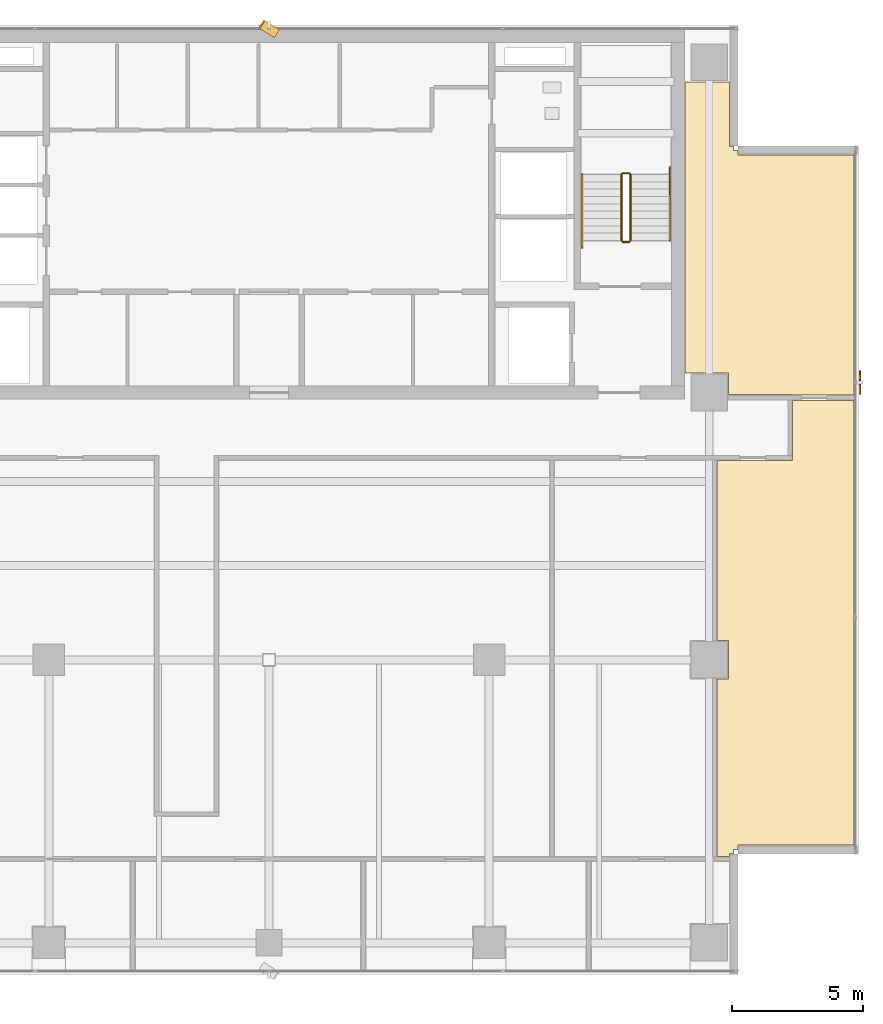
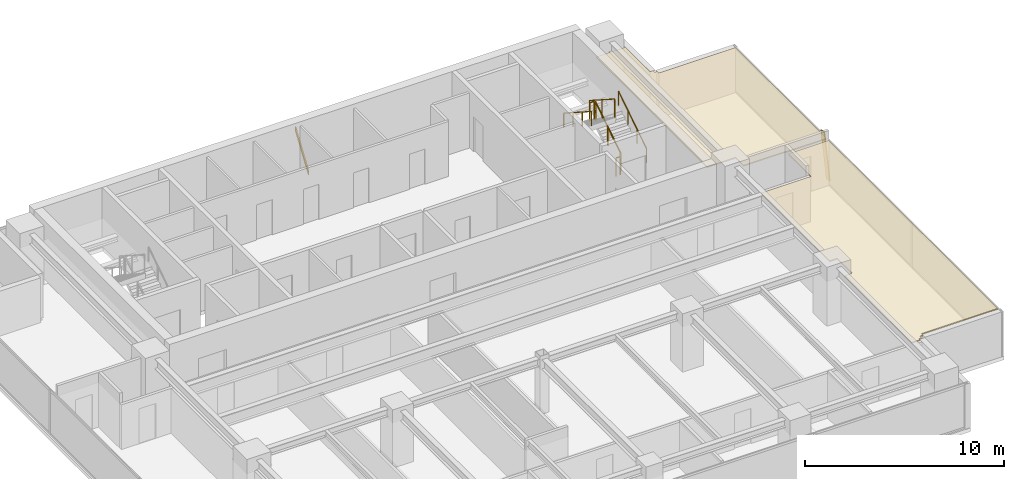
# One storey, part 25 of 26: 6 railings, 2 coverings, 2 shading devices.
"""IFC4 building model written with IfcOpenShell, lengths in metres."""

import ifcopenshell
import ifcopenshell.guid

model = None  # the IFC model being written
_history = None  # IfcOwnerHistory: only IFC2X3 demands one
_inside = {}  # id of a spatial element -> (the spatial element, [elements in it])
_under = {}  # id of a project, library or spatial element -> (it, [spatial elements below it])
_declared = {}  # id of a project -> (the project, [libraries it declares])
_typed = {}  # id of a type object -> (the type object, [elements of that type])
_made_of = {}  # id of a material, layer set ... -> (it, [elements and type objects made of it])


def new_model(schema):
    """Start an empty IFC model of exactly this schema.

    Asked for "IFC4X3", IfcOpenShell would pick the latest addendum, in which some entities
    have other attributes; the version numbers below select the first issue.
    IFC2X3 requires an IfcOwnerHistory on every rooted entity: one is made here for all.
    """
    global model, _history
    if schema == "IFC4X3":
        model = ifcopenshell.file(schema_version=(4, 3, 0, 0))
    else:
        model = ifcopenshell.file(schema=schema)
    _inside.clear()
    _under.clear()
    _declared.clear()
    _typed.clear()
    _made_of.clear()
    _history = None
    if model.schema == "IFC2X3":
        org = make("IfcOrganization", Name="unknown")
        user = make(
            "IfcPersonAndOrganization",
            ThePerson=make("IfcPerson", FamilyName="unknown"),
            TheOrganization=org,
        )
        app = make(
            "IfcApplication",
            ApplicationDeveloper=org,
            Version="unknown",
            ApplicationFullName="unknown",
            ApplicationIdentifier="unknown",
        )
        _history = make(
            "IfcOwnerHistory",
            OwningUser=user,
            OwningApplication=app,
            ChangeAction="ADDED",
            CreationDate=0,
        )
    return model


def make(cls, **values):
    """One entity of the class cls with the attributes given. An attribute that is None is left unset."""
    return model.create_entity(
        cls, **{name: value for name, value in values.items() if value is not None}
    )


def rooted(cls, **values):
    """An entity with a GlobalId (a new one), such as an element, a storey or a relation."""
    return make(cls, GlobalId=ifcopenshell.guid.new(), OwnerHistory=_history, **values)


def si_unit(unit_type, name, prefix=None):
    """IfcSIUnit, for example si_unit("LENGTHUNIT", "METRE", prefix="MILLI")."""
    return make("IfcSIUnit", UnitType=unit_type, Prefix=prefix, Name=name)


def assignment(units):
    """IfcUnitAssignment: the units of a project."""
    return None if units is None else make("IfcUnitAssignment", Units=units)


def point(xyz):
    """IfcCartesianPoint."""
    return None if xyz is None else make("IfcCartesianPoint", Coordinates=xyz)


def direction(xyz):
    """IfcDirection."""
    return None if xyz is None else make("IfcDirection", DirectionRatios=xyz)


def frame(location, z_axis=None, x_axis=None):
    """IfcAxis2Placement3D, a coordinate frame: its origin and axes. An axis left out is left unset."""
    return make(
        "IfcAxis2Placement3D",
        Location=point(location),
        Axis=direction(z_axis),
        RefDirection=direction(x_axis),
    )


def frame_2d(location, x_axis=None):
    """IfcAxis2Placement2D, a coordinate frame in the plane: its origin and x axis."""
    return make(
        "IfcAxis2Placement2D", Location=point(location), RefDirection=direction(x_axis)
    )


def origin():
    """The frame at (0, 0, 0) with its axes left unset."""
    return frame((0.0, 0.0, 0.0))


def origin_2d():
    """The frame at (0, 0) in the plane with its x axis left unset."""
    return frame_2d((0.0, 0.0))


def place(relative_to, where):
    """IfcLocalPlacement: puts the frame where relative to a parent placement (None: the world)."""
    return make(
        "IfcLocalPlacement", PlacementRelTo=relative_to, RelativePlacement=where
    )


def context(
    kind, dimensions, precision=None, world=None, true_north=None, identifier=None
):
    """IfcGeometricRepresentationContext, for example the 3D "Model" context."""
    return make(
        "IfcGeometricRepresentationContext",
        ContextIdentifier=identifier,
        ContextType=kind,
        CoordinateSpaceDimension=dimensions,
        Precision=precision,
        WorldCoordinateSystem=world,
        TrueNorth=true_north,
    )


def subcontext(parent, identifier, kind, view, scale=None):
    """IfcGeometricRepresentationSubContext, for example "Body" below "Model"."""
    return make(
        "IfcGeometricRepresentationSubContext",
        ContextIdentifier=identifier,
        ContextType=kind,
        ParentContext=parent,
        TargetScale=scale,
        TargetView=view,
    )


def project(units=None, contexts=None):
    """IfcProject with its units and contexts."""
    return rooted(
        "IfcProject",
        Name="project",
        RepresentationContexts=contexts,
        UnitsInContext=assignment(units),
    )


def spatial(cls, under=None, at=None, **own):
    """A site, building, storey or space (cls), placed at a placement, below another one or the project."""
    s = rooted(cls, ObjectPlacement=at, **own)
    if under is not None:
        _under.setdefault(under.id(), (under, []))[1].append(s)
    return s


def polyline(points):
    """IfcPolyline through the points."""
    return make("IfcPolyline", Points=[point(p) for p in points])


def profile(cls, at=None, kind="AREA", **sizes):
    """A parametric profile (cls). Its sizes go by their IFC names, for example OverallWidth=200.0."""
    return make(cls, ProfileType=kind, Position=at, **sizes)


def rectangle(**sizes):
    """IfcRectangleProfileDef."""
    return profile("IfcRectangleProfileDef", **sizes)


def outline(outer, holes=None, kind="AREA"):
    """IfcArbitraryClosedProfileDef: a profile drawn as a closed curve; with holes, ...WithVoids."""
    if holes is None:
        return make("IfcArbitraryClosedProfileDef", ProfileType=kind, OuterCurve=outer)
    return make(
        "IfcArbitraryProfileDefWithVoids",
        ProfileType=kind,
        OuterCurve=outer,
        InnerCurves=holes,
    )


def extrude(swept, where, along, depth):
    """IfcExtrudedAreaSolid: the profile swept, set in the frame where, extruded along a direction by depth."""
    return make(
        "IfcExtrudedAreaSolid",
        SweptArea=swept,
        Position=where,
        ExtrudedDirection=direction(along),
        Depth=depth,
    )


def shape(context_of_items, identifier, shape_type, items):
    """IfcShapeRepresentation: the items that make up one representation, for example the "Body"."""
    return make(
        "IfcShapeRepresentation",
        ContextOfItems=context_of_items,
        RepresentationIdentifier=identifier,
        RepresentationType=shape_type,
        Items=items,
    )


def source(mapping_origin, context_of_items, identifier, shape_type, items):
    """IfcRepresentationMap: a shape defined once, which mapped items show again and again."""
    return make(
        "IfcRepresentationMap",
        MappingOrigin=mapping_origin,
        MappedRepresentation=shape(context_of_items, identifier, shape_type, items),
    )


def transform(
    local_origin,
    x_axis=None,
    y_axis=None,
    z_axis=None,
    scale=None,
    scale2=None,
    scale3=None,
    uniform=True,
):
    """IfcCartesianTransformationOperator3D, or its non-uniform kind. x_axis, y_axis, z_axis: its Axis1, 2, 3."""
    if uniform:
        return make(
            "IfcCartesianTransformationOperator3D",
            Axis1=direction(x_axis),
            Axis2=direction(y_axis),
            LocalOrigin=point(local_origin),
            Scale=scale,
            Axis3=direction(z_axis),
        )
    return make(
        "IfcCartesianTransformationOperator3DnonUniform",
        Axis1=direction(x_axis),
        Axis2=direction(y_axis),
        LocalOrigin=point(local_origin),
        Scale=scale,
        Axis3=direction(z_axis),
        Scale2=scale2,
        Scale3=scale3,
    )


def mapped(mapping_source, mapping_target):
    """IfcMappedItem: shows the shape of a source again, moved by a transform."""
    return make(
        "IfcMappedItem", MappingSource=mapping_source, MappingTarget=mapping_target
    )


def material(Name=None, Category=None):
    """IfcMaterial."""
    return make("IfcMaterial", Name=Name, Category=Category)


def layer(
    of_material, thickness, ventilated=None, Name=None, Category=None, Priority=None
):
    """IfcMaterialLayer: one layer of a wall or slab, of a material (None: an air gap)."""
    return make(
        "IfcMaterialLayer",
        Material=of_material,
        LayerThickness=thickness,
        IsVentilated=ventilated,
        Name=Name,
        Category=Category,
        Priority=Priority,
    )


def layer_set(layers, Name=None):
    """IfcMaterialLayerSet."""
    return make("IfcMaterialLayerSet", MaterialLayers=layers, LayerSetName=Name)


def material_profile(
    of_material, cross_section, Name=None, Category=None, Priority=None
):
    """IfcMaterialProfile: a cross section and its material."""
    return make(
        "IfcMaterialProfile",
        Name=Name,
        Material=of_material,
        Profile=cross_section,
        Priority=Priority,
        Category=Category,
    )


def profile_set(profiles, Name=None, composite=None):
    """IfcMaterialProfileSet."""
    return make(
        "IfcMaterialProfileSet",
        Name=Name,
        MaterialProfiles=profiles,
        CompositeProfile=composite,
    )


def made_of(thing, what):
    """Note that an element or type object is made of a material, layer set ...; save() writes the relation."""
    if what is not None:
        _made_of.setdefault(what.id(), (what, []))[1].append(thing)
    return thing


def type_object(cls, material=None, **own):
    """A type object (cls), such as IfcWallType, which elements share."""
    return made_of(rooted(cls, **own), material)


def element(
    cls,
    number,
    at=None,
    inside=None,
    cuts=None,
    type_object=None,
    material=None,
    context=None,
    identifier="Body",
    shape_type=None,
    held_by="IfcProductDefinitionShape",
    body=None,
    shapes=None,
    **own,
):
    """One element of the class cls, such as IfcWall. Its Tag is "e" and its number.

    at: its placement. inside: the storey or other place that contains it. cuts: it is an
    opening in that element (IfcRelVoidsElement). A single representation is given by context,
    identifier, shape_type and body (its items); several are given by shapes. held_by: the class
    of the entity that holds the representations. save() writes the other relations.
    """
    e = rooted(cls, Tag="e%d" % number, ObjectPlacement=at, **own)
    if body is not None:
        shapes = [shape(context, identifier, shape_type, body)]
    if shapes is not None:
        e.Representation = make(held_by, Representations=shapes)
    if inside is not None:
        _inside.setdefault(inside.id(), (inside, []))[1].append(e)
    if cuts is not None:
        rooted(
            "IfcRelVoidsElement", RelatingBuildingElement=cuts, RelatedOpeningElement=e
        )
    if type_object is not None:
        _typed.setdefault(type_object.id(), (type_object, []))[1].append(e)
    return made_of(e, material)


def aggregate(whole, parts):
    """IfcRelAggregates: a whole, such as a stair, and the parts it consists of."""
    return rooted("IfcRelAggregates", RelatingObject=whole, RelatedObjects=parts)


def save(model, path):
    """Write the relations noted so far, then the file.

    IfcRelAggregates (storeys below a building ...), IfcRelContainedInSpatialStructure (elements
    in a storey), IfcRelDefinesByType, IfcRelAssociatesMaterial and IfcRelDeclares: one each for
    every whole, place, type object, material and project.
    """
    for whole, parts in _under.values():
        aggregate(whole, parts)
    for where, things in _inside.values():
        rooted(
            "IfcRelContainedInSpatialStructure",
            RelatedElements=things,
            RelatingStructure=where,
        )
    for kind, things in _typed.values():
        rooted("IfcRelDefinesByType", RelatedObjects=things, RelatingType=kind)
    for what, things in _made_of.values():
        rooted("IfcRelAssociatesMaterial", RelatedObjects=things, RelatingMaterial=what)
    for by, libraries in _declared.values():
        rooted("IfcRelDeclares", RelatingContext=by, RelatedDefinitions=libraries)
    model.write(path)


model = new_model("IFC4")

# Units and contexts
model_context = context("Model", 3, precision=1e-05, world=origin(), true_north=direction((0.0, 1.0)))
body_context = subcontext(model_context, "Body", "Model", "MODEL_VIEW")
ifc_project = project(units=[si_unit("LENGTHUNIT", "METRE"), si_unit("AREAUNIT", "SQUARE_METRE"), si_unit("VOLUMEUNIT", "CUBIC_METRE"), si_unit("PLANEANGLEUNIT", "RADIAN"), si_unit("MASSUNIT", "GRAM", prefix="KILO")], contexts=[model_context])

# Site, building, storey
site_placement = place(None, origin())
site = spatial("IfcSite", under=ifc_project, at=site_placement, CompositionType="ELEMENT")
building_placement = place(site_placement, origin())
building = spatial("IfcBuilding", under=site, at=building_placement, Name="Sumidabori Civic Tower", CompositionType="ELEMENT")
storey_placement = place(building_placement, frame((0.0, 0.0, 254.0)))
storey = spatial("IfcBuildingStorey", under=building, at=storey_placement, Name="L66", CompositionType="ELEMENT", Elevation=254.0)

# Coverings
ifc_material_1 = material(Name="Gypsum Coffered Acoustic Ceiling")
ifc_layer = layer(ifc_material_1, 0.06494140625, Name="Gypsum Coffered Acoustic Ceiling")
ifc_layer_set = layer_set([ifc_layer], Name="Gypsum Coffered Acoustic Ceiling")
covering_type = type_object("IfcCoveringType", Name="CV-CEIL-AC4", PredefinedType="CEILING", material=ifc_layer_set)
covering_1_placement = place(storey_placement, frame((0.0, 0.0, 2.719970703125)))
element("IfcCovering", 1, at=covering_1_placement, inside=storey, type_object=covering_type, Name="Room Acoustic Ceiling L66-02", PredefinedType="CEILING", context=body_context, shape_type="SweptSolid", body=[
    extrude(outline(polyline([(17.572021484375, 22.06005859375), (17.572021484375, 19.592041015625), (17.72998046875, 19.592041015625), (17.72998046875, 19.429931640625), (17.89208984375, 19.429931640625), (17.89208984375, 19.27197265625), (22.330078125, 19.27197265625), (22.330078125, 10.1025390625), (19.985107421875, 10.1025390625), (19.985107421875, 10.135009765625), (17.5400390625, 10.135009765625), (17.5400390625, 10.93994140625), (15.8779296875, 10.93994140625), (15.8779296875, 22.06005859375), (17.572021484375, 22.06005859375)])), origin(), (0.0, 0.0, 1.0), 0.06494140625),
])
covering_2_placement = place(storey_placement, frame((0.0, 0.0, 2.719970703125)))
element("IfcCovering", 2, at=covering_2_placement, inside=storey, type_object=covering_type, Name="Room Acoustic Ceiling L66-04", PredefinedType="CEILING", context=body_context, shape_type="SweptSolid", body=[
    extrude(outline(polyline([(17.1025390625, -0.739990234375), (17.5400390625, -0.739990234375), (17.5400390625, 0.739990234375), (17.1025390625, 0.739990234375), (17.1025390625, 7.614990234375), (19.985107421875, 7.614990234375), (19.985107421875, 9.8974609375), (22.330078125, 9.8974609375), (22.330078125, -7.072021484375), (17.89208984375, -7.072021484375), (17.89208984375, -7.22998046875), (17.72998046875, -7.22998046875), (17.72998046875, -7.39208984375), (17.572021484375, -7.39208984375), (17.572021484375, -7.49755859375), (17.1025390625, -7.49755859375), (17.1025390625, -0.739990234375)])), origin(), (0.0, 0.0, 1.0), 0.06494140625),
])

# Railings
ifc_material_2 = material(Name="Stainless Steel Hairline Finish", Category="steel")
railing_type_1 = type_object("IfcRailingType", Name="RL-HANDRAIL", PredefinedType="HANDRAIL", material=ifc_material_2)
railing_1_placement = place(storey_placement, frame((15.2900390625, 16.0, 0.179931640625)))
element("IfcRailing", 3, at=railing_1_placement, inside=storey, type_object=railing_type_1, Name="L66 ST-2 stair handrail 1", PredefinedType="HANDRAIL", context=body_context, shape_type="SweptSolid", body=[
    extrude(rectangle(XDim=0.048095703125, YDim=0.048095703125, at=origin_2d()), frame((0.0, 0.0, 0.8759765625), z_axis=(0.0, 0.84064222762, 0.54159084662), x_axis=(-1.0, 0.0, 0.0)), (0.0, 0.0, 1.0), 3.330810546875),
    extrude(rectangle(XDim=0.0419921875, YDim=0.0419921875, at=origin_2d()), origin(), (0.0, 0.0, 1.0), 0.851806640625),
    extrude(rectangle(XDim=0.0419921875, YDim=0.0419921875, at=origin_2d()), frame((0.0, 0.933349609375, 0.601318359375)), (0.0, 0.0, 1.0), 0.851806640625),
    extrude(rectangle(XDim=0.0419921875, YDim=0.0419921875, at=origin_2d()), frame((0.0, 1.86669921875, 1.20263671875)), (0.0, 0.0, 1.0), 0.851806640625),
    extrude(rectangle(XDim=0.0419921875, YDim=0.0419921875, at=origin_2d()), frame((0.0, 2.800048828125, 1.803955078125)), (0.0, 0.0, 1.0), 0.851806640625),
])
railing_2_placement = place(storey_placement, frame((11.949951171875, 18.52001953125, 1.97998046875)))
element("IfcRailing", 4, at=railing_2_placement, inside=storey, type_object=railing_type_1, Name="L66 ST-2 stair handrail 2", PredefinedType="HANDRAIL", context=body_context, shape_type="SweptSolid", body=[
    extrude(rectangle(XDim=0.048095703125, YDim=0.048095703125, at=origin_2d()), frame((0.0, 0.0, 0.8759765625), z_axis=(0.0, -0.840675598268, 0.541539046124), x_axis=(1.0, 0.0, 0.0)), (0.0, 0.0, 1.0), 3.330810546875),
    extrude(rectangle(XDim=0.0419921875, YDim=0.0419921875, at=origin_2d()), origin(), (0.0, 0.0, 1.0), 0.851806640625),
    extrude(rectangle(XDim=0.0419921875, YDim=0.0419921875, at=origin_2d()), frame((0.0, -0.933349609375, 0.601318359375)), (0.0, 0.0, 1.0), 0.851806640625),
    extrude(rectangle(XDim=0.0419921875, YDim=0.0419921875, at=origin_2d()), frame((0.0, -1.86669921875, 1.202392578125)), (0.0, 0.0, 1.0), 0.851806640625),
    extrude(rectangle(XDim=0.0419921875, YDim=0.0419921875, at=origin_2d()), frame((0.0, -2.800048828125, 1.8037109375)), (0.0, 0.0, 1.0), 0.851806640625),
])
ifc_material_3 = material(Name="Steel SN490", Category="steel")
railing_type_2 = type_object("IfcRailingType", Name="RL-STAIR-GUARD", PredefinedType="GUARDRAIL", material=ifc_material_3)
railing_3_placement = place(storey_placement, frame((13.7900390625, 16.0, 0.179931640625)))
element("IfcRailing", 5, at=railing_3_placement, inside=storey, type_object=railing_type_2, Name="L66 ST-2 stair guard 1", PredefinedType="GUARDRAIL", context=body_context, shape_type="SweptSolid", body=[
    extrude(rectangle(XDim=0.048095703125, YDim=0.048095703125, at=origin_2d()), frame((0.0, 0.0, 1.1259765625), z_axis=(0.0, 0.841162588446, 0.540782303519), x_axis=(-1.0, 0.0, 0.0)), (0.0, 0.0, 1.0), 2.995849609375),
    extrude(rectangle(XDim=0.0419921875, YDim=0.0419921875, at=origin_2d()), origin(), (0.0, 0.0, 1.0), 1.101806640625),
    extrude(rectangle(XDim=0.0419921875, YDim=0.0419921875, at=origin_2d()), frame((0.0, 1.260009765625, 0.81005859375)), (0.0, 0.0, 1.0), 1.101806640625),
    extrude(rectangle(XDim=0.0419921875, YDim=0.0419921875, at=origin_2d()), frame((0.0, 2.52001953125, 1.6201171875)), (0.0, 0.0, 1.0), 1.101806640625),
])
railing_4_placement = place(storey_placement, frame((13.739990234375, 18.570068359375, 1.800048828125)))
element("IfcRailing", 6, at=railing_4_placement, inside=storey, type_object=railing_type_2, Name="L66 ST-2 stair guard 2", PredefinedType="GUARDRAIL", context=body_context, shape_type="SweptSolid", body=[
    extrude(rectangle(XDim=0.048095703125, YDim=0.048095703125, at=origin_2d()), frame((0.0, 0.0, 1.1259765625), z_axis=(-1.0, 0.0, 0.0), x_axis=(0.0, -1.0, 0.0)), (0.0, 0.0, 1.0), 0.239990234375),
    extrude(rectangle(XDim=0.0419921875, YDim=0.0419921875, at=origin_2d()), origin(), (0.0, 0.0, 1.0), 1.101806640625),
    extrude(rectangle(XDim=0.0419921875, YDim=0.0419921875, at=origin_2d()), frame((-0.239990234375, 0.0, 0.0)), (0.0, 0.0, 1.0), 1.101806640625),
])
railing_5_placement = place(storey_placement, frame((13.449951171875, 18.52001953125, 1.97998046875)))
element("IfcRailing", 7, at=railing_5_placement, inside=storey, type_object=railing_type_2, Name="L66 ST-2 stair guard 3", PredefinedType="GUARDRAIL", context=body_context, shape_type="SweptSolid", body=[
    extrude(rectangle(XDim=0.048095703125, YDim=0.048095703125, at=origin_2d()), frame((0.0, 0.0, 1.1259765625), z_axis=(0.0, -0.841162588446, 0.540782303519), x_axis=(1.0, 0.0, 0.0)), (0.0, 0.0, 1.0), 2.995849609375),
    extrude(rectangle(XDim=0.0419921875, YDim=0.0419921875, at=origin_2d()), origin(), (0.0, 0.0, 1.0), 1.101806640625),
    extrude(rectangle(XDim=0.0419921875, YDim=0.0419921875, at=origin_2d()), frame((0.0, -1.260009765625, 0.81005859375)), (0.0, 0.0, 1.0), 1.101806640625),
    extrude(rectangle(XDim=0.0419921875, YDim=0.0419921875, at=origin_2d()), frame((0.0, -2.52001953125, 1.6201171875)), (0.0, 0.0, 1.0), 1.101806640625),
])
railing_6_placement = place(storey_placement, frame((13.739990234375, 15.949951171875, 0.0)))
element("IfcRailing", 8, at=railing_6_placement, inside=storey, type_object=railing_type_2, Name="L66 ST-2 stair guard 4", PredefinedType="GUARDRAIL", context=body_context, shape_type="SweptSolid", body=[
    extrude(rectangle(XDim=0.048095703125, YDim=0.048095703125, at=origin_2d()), frame((0.0, 0.0, 1.1259765625), z_axis=(-1.0, 0.0, 0.0), x_axis=(0.0, -1.0, 0.0)), (0.0, 0.0, 1.0), 0.239990234375),
    extrude(rectangle(XDim=0.0419921875, YDim=0.0419921875, at=origin_2d()), origin(), (0.0, 0.0, 1.0), 1.101806640625),
    extrude(rectangle(XDim=0.0419921875, YDim=0.0419921875, at=origin_2d()), frame((-0.239990234375, 0.0, 0.0)), (0.0, 0.0, 1.0), 1.101806640625),
])

# Shading devices
ifc_material_4 = material(Name="Anodised Bronze Aluminium AW-6063-T6", Category="aluminium")
ifc_material_profile = material_profile(ifc_material_4, rectangle(XDim=0.054931640625, YDim=0.360107421875, at=origin_2d()), Name="BRONZE FIN 360x55")
ifc_profile_set = profile_set([ifc_material_profile], Name="Anodised Bronze Aluminium AW-6063-T6")
shading_device_type = type_object("IfcShadingDeviceType", Name="SH-FIN-360", PredefinedType="USERDEFINED", material=ifc_profile_set)
shared_shape_1 = source(origin(), body_context, "Body", "SweptSolid", [
    extrude(rectangle(XDim=0.054931640625, YDim=0.360107421875, at=origin_2d()), origin(), (0.0, 0.0, 1.0), 2.7685546875),
])
shading_device_1_placement = place(storey_placement, frame((0.280029296875, 23.909912109375, 0.02001953125), z_axis=(-0.202289930374, 0.122837782481, 0.971591304646), x_axis=(0.830469701518, -0.504291322674, 0.236665030656)))
element("IfcShadingDevice", 9, at=shading_device_1_placement, inside=storey, type_object=shading_device_type, Name="Bronze Anodised Diagonal Fin L66-02", ObjectType="FIN", PredefinedType="USERDEFINED", context=body_context, shape_type="MappedRepresentation", body=[
    mapped(shared_shape_1, transform((0.0, 0.0, 0.0), x_axis=(1.0, 0.0, 0.0), y_axis=(0.0, 1.0, 0.0), z_axis=(0.0, 0.0, 1.0), scale=1.0)),
])
shared_shape_2 = source(origin(), body_context, "Body", "SweptSolid", [
    extrude(rectangle(XDim=0.054931640625, YDim=0.360107421875, at=origin_2d()), origin(), (0.0, 0.0, 1.0), 2.74755859375),
])
shading_device_2_placement = place(storey_placement, frame((22.550048828125, 10.31005859375, 0.02001953125), z_axis=(0.0, 0.20383361069, 0.979005546028), x_axis=(-1.0, 0.0, 0.0)))
element("IfcShadingDevice", 10, at=shading_device_2_placement, inside=storey, type_object=shading_device_type, Name="Bronze Anodised Diagonal Fin L66-02", ObjectType="FIN", PredefinedType="USERDEFINED", context=body_context, shape_type="MappedRepresentation", body=[
    mapped(shared_shape_2, transform((0.0, 0.0, 0.0), x_axis=(1.0, 0.0, 0.0), y_axis=(0.0, 1.0, 0.0), z_axis=(0.0, 0.0, 1.0), scale=1.0)),
])

save(model, "model.ifc")
